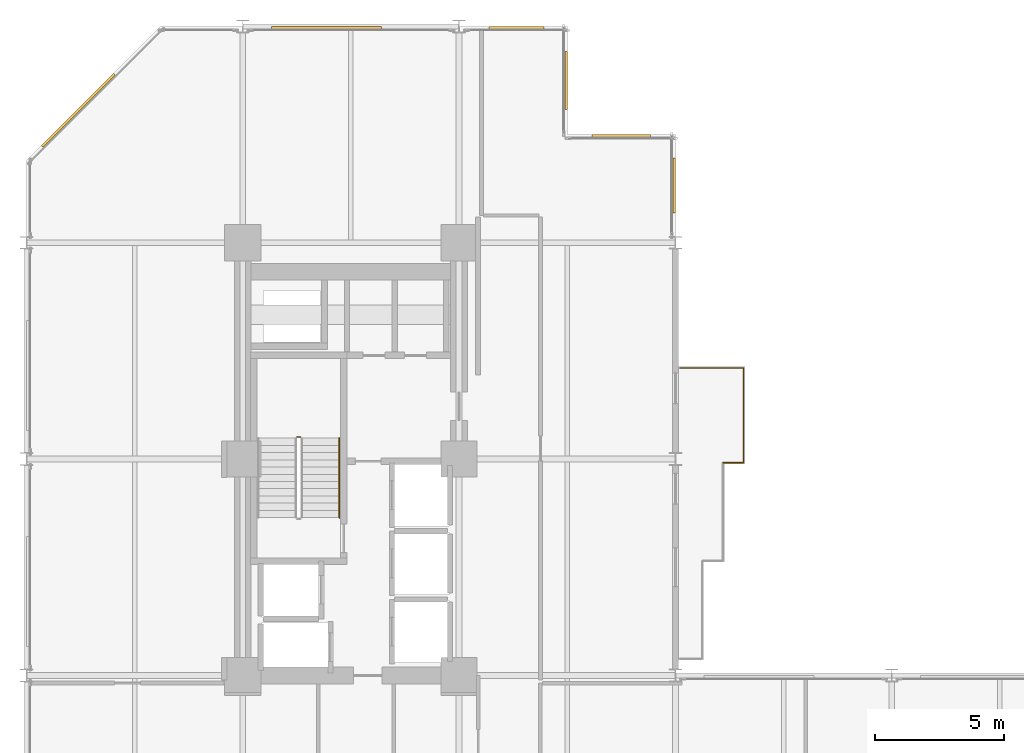
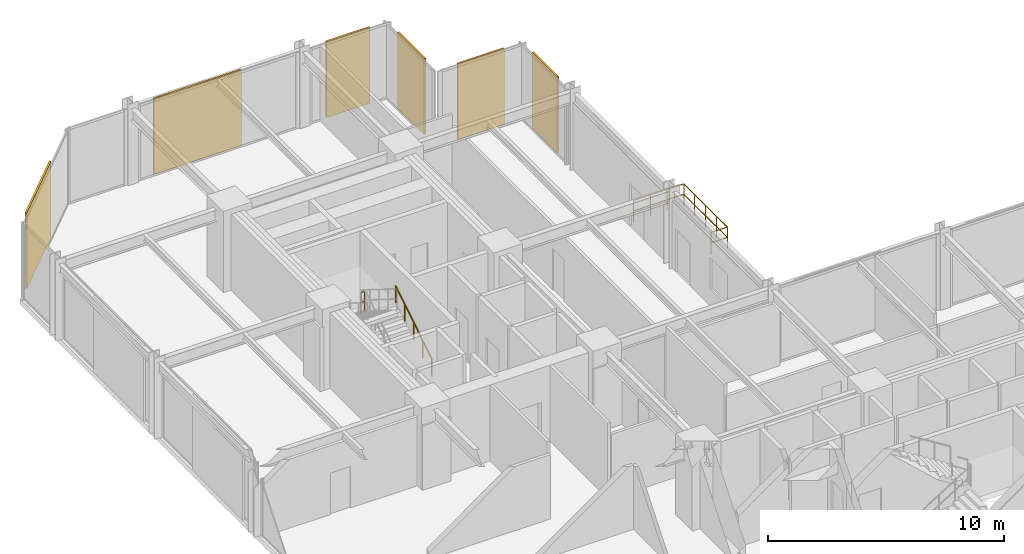
# One storey, part 24 of 24: 6 coverings, 5 railings.
"""IFC4 building model written with IfcOpenShell, lengths in metres."""

from ifc_helpers import new_model, si_unit, direction, frame, origin, origin_2d, place, context, subcontext, project, spatial, rectangle, circle, extrude, material, layer, layer_set, type_object, element, save


model = new_model("IFC4")

# Units and contexts
model_context = context("Model", 3, precision=1e-05, world=origin(), true_north=direction((0.0, 1.0)))
body_context = subcontext(model_context, "Body", "Model", "MODEL_VIEW")
ifc_project = project(units=[si_unit("LENGTHUNIT", "METRE"), si_unit("AREAUNIT", "SQUARE_METRE"), si_unit("VOLUMEUNIT", "CUBIC_METRE"), si_unit("PLANEANGLEUNIT", "RADIAN"), si_unit("MASSUNIT", "GRAM", prefix="KILO")], contexts=[model_context])

# Site, building, storey
site_placement = place(None, origin())
site = spatial("IfcSite", under=ifc_project, at=site_placement, CompositionType="ELEMENT")
building_placement = place(site_placement, origin())
building = spatial("IfcBuilding", under=site, at=building_placement, Name="Nerrivon Quay Data Exchange", CompositionType="ELEMENT")
storey_placement = place(building_placement, frame((0.0, 0.0, 37.39990234375)))
storey = spatial("IfcBuildingStorey", under=building, at=storey_placement, Name="L08", CompositionType="ELEMENT", Elevation=37.39990234375)

# Coverings
ifc_material_1 = material(Name="Architectural terracotta ceramic", Category="masonry")
ifc_layer = layer(ifc_material_1, 0.090087890625)
ifc_layer_set = layer_set([ifc_layer], Name="Architectural terracotta ceramic")
covering_type = type_object("IfcCoveringType", Name="COV-SCR-TERR", PredefinedType="CLADDING", material=ifc_layer_set)
covering_1_placement = place(storey_placement, frame((2.0078125, 47.144287109375, 0.0), z_axis=(0.0, 0.0, 1.0), x_axis=(0.707106781187, 0.707106781187, 0.0)))
element("IfcCovering", 1, at=covering_1_placement, inside=storey, type_object=covering_type, Name="L08 Perforated Terracotta SOLAR SCREEN Cassette", PredefinedType="CLADDING", context=body_context, shape_type="SweptSolid", body=[
    extrude(rectangle(XDim=3.970947265625, YDim=0.090087890625, at=origin_2d()), origin(), (0.0, 0.0, 1.0), 3.925048828125),
])
covering_2_placement = place(storey_placement, frame((11.652099609375, 50.35498046875, 0.0), z_axis=(0.0, 0.0, 1.0), x_axis=(1.0, 0.0, 0.0)))
element("IfcCovering", 2, at=covering_2_placement, inside=storey, type_object=covering_type, Name="L08 Perforated Terracotta SOLAR SCREEN Cassette", PredefinedType="CLADDING", context=body_context, shape_type="SweptSolid", body=[
    extrude(rectangle(XDim=4.26611328125, YDim=0.090087890625, at=origin_2d()), origin(), (0.0, 0.0, 1.0), 3.925048828125),
])
covering_3_placement = place(storey_placement, frame((19.02490234375, 50.35498046875, 0.0), z_axis=(0.0, 0.0, 1.0), x_axis=(1.0, 0.0, 0.0)))
element("IfcCovering", 3, at=covering_3_placement, inside=storey, type_object=covering_type, Name="L08 Perforated Terracotta SOLAR SCREEN Cassette", PredefinedType="CLADDING", context=body_context, shape_type="SweptSolid", body=[
    extrude(rectangle(XDim=2.133056640625, YDim=0.090087890625, at=origin_2d()), origin(), (0.0, 0.0, 1.0), 3.925048828125),
])
for number, where, z_axis, x_axis, name in (
    (4, (20.955078125, 48.300048828125, 0.0), (0.0, 0.0, 1.0), (0.0, -1.0, 0.0), "L08 Perforated Terracotta SOLAR SCREEN Cassette"),
    (5, (23.10009765625, 46.155029296875, 0.0), (0.0, 0.0, 1.0), (1.0, 0.0, 0.0), "L08 Perforated Terracotta SOLAR SCREEN Cassette"),
):
    element("IfcCovering", number, at=place(storey_placement, frame(where, z_axis=z_axis, x_axis=x_axis)), inside=storey, type_object=covering_type, Name=name, PredefinedType="CLADDING", context=body_context, shape_type="SweptSolid", body=[
        extrude(rectangle(XDim=2.26806640625, YDim=0.090087890625, at=origin_2d()), origin(), (0.0, 0.0, 1.0), 3.925048828125),
    ])
covering_4_placement = place(storey_placement, frame((25.155029296875, 44.22509765625, 0.0), z_axis=(0.0, 0.0, 1.0), x_axis=(0.0, -1.0, 0.0)))
element("IfcCovering", 6, at=covering_4_placement, inside=storey, type_object=covering_type, Name="L08 Perforated Terracotta SOLAR SCREEN Cassette", PredefinedType="CLADDING", context=body_context, shape_type="SweptSolid", body=[
    extrude(rectangle(XDim=2.133056640625, YDim=0.090087890625, at=origin_2d()), origin(), (0.0, 0.0, 1.0), 3.925048828125),
])

# Railings
ifc_material_2 = material(Name="Steel Grade C350L0 (350 MPa)", Category="steel")
railing_type_1 = type_object("IfcRailingType", Name="RAIL-GUARD-GR2", PredefinedType="BALUSTRADE", material=ifc_material_2)
railing_1_placement = place(storey_placement, frame((25.3798828125, 37.139892578125, 0.0)))
element("IfcRailing", 7, at=railing_1_placement, inside=storey, type_object=railing_type_1, Name="L08 Verandah Balcony Guard 1.3 1", PredefinedType="BALUSTRADE", context=body_context, shape_type="SweptSolid", body=[
    extrude(circle(Radius=0.02392578125, at=origin_2d()), frame((0.0, 0.0, 1.09619140625), z_axis=(1.0, 0.0, 0.0), x_axis=(0.0, 1.0, 0.0)), (0.0, 0.0, 1.0), 2.460205078125),
    extrude(circle(Radius=0.02392578125, at=origin_2d()), frame((0.0, 0.0, 0.56005859375), z_axis=(1.0, 0.0, 0.0), x_axis=(0.0, 1.0, 0.0)), (0.0, 0.0, 1.0), 2.460205078125),
    extrude(circle(Radius=0.02099609375, at=origin_2d()), origin(), (0.0, 0.0, 1.0), 1.072021484375),
    extrude(circle(Radius=0.02099609375, at=origin_2d()), frame((0.820068359375, 0.0, 0.0)), (0.0, 0.0, 1.0), 1.072021484375),
    extrude(circle(Radius=0.02099609375, at=origin_2d()), frame((1.64013671875, 0.0, 0.0)), (0.0, 0.0, 1.0), 1.072021484375),
    extrude(circle(Radius=0.02099609375, at=origin_2d()), frame((2.460205078125, 0.0, 0.0)), (0.0, 0.0, 1.0), 1.072021484375),
])
railing_2_placement = place(storey_placement, frame((27.840087890625, 37.139892578125, 0.0)))
element("IfcRailing", 8, at=railing_2_placement, inside=storey, type_object=railing_type_1, Name="L08 Verandah Balcony Guard 1.4 1", PredefinedType="BALUSTRADE", context=body_context, shape_type="SweptSolid", body=[
    extrude(circle(Radius=0.02392578125, at=origin_2d()), frame((0.0, 0.0, 1.09619140625), z_axis=(0.0, -1.0, 0.0), x_axis=(1.0, 0.0, 0.0)), (0.0, 0.0, 1.0), 3.679931640625),
    extrude(circle(Radius=0.02392578125, at=origin_2d()), frame((0.0, 0.0, 0.56005859375), z_axis=(0.0, -1.0, 0.0), x_axis=(1.0, 0.0, 0.0)), (0.0, 0.0, 1.0), 3.679931640625),
    extrude(circle(Radius=0.02099609375, at=origin_2d()), origin(), (0.0, 0.0, 1.0), 1.072021484375),
    extrude(circle(Radius=0.02099609375, at=origin_2d()), frame((0.0, -0.919921875, 0.0)), (0.0, 0.0, 1.0), 1.072021484375),
    extrude(circle(Radius=0.02099609375, at=origin_2d()), frame((0.0, -1.83984375, 0.0)), (0.0, 0.0, 1.0), 1.072021484375),
    extrude(circle(Radius=0.02099609375, at=origin_2d()), frame((0.0, -2.760009765625, 0.0)), (0.0, 0.0, 1.0), 1.072021484375),
    extrude(circle(Radius=0.02099609375, at=origin_2d()), frame((0.0, -3.679931640625, 0.0)), (0.0, 0.0, 1.0), 1.072021484375),
])
railing_3_placement = place(storey_placement, frame((27.840087890625, 33.4599609375, 0.0)))
element("IfcRailing", 9, at=railing_3_placement, inside=storey, type_object=railing_type_1, Name="L08 Verandah Balcony Guard 1.5 1", PredefinedType="BALUSTRADE", context=body_context, shape_type="SweptSolid", body=[
    extrude(circle(Radius=0.02392578125, at=origin_2d()), frame((0.0, 0.0, 1.09619140625), z_axis=(-1.0, 0.0, 0.0), x_axis=(0.0, -1.0, 0.0)), (0.0, 0.0, 1.0), 0.800048828125),
    extrude(circle(Radius=0.02392578125, at=origin_2d()), frame((0.0, 0.0, 0.56005859375), z_axis=(-1.0, 0.0, 0.0), x_axis=(0.0, -1.0, 0.0)), (0.0, 0.0, 1.0), 0.800048828125),
    extrude(circle(Radius=0.02099609375, at=origin_2d()), origin(), (0.0, 0.0, 1.0), 1.072021484375),
    extrude(circle(Radius=0.02099609375, at=origin_2d()), frame((-0.800048828125, 0.0, 0.0)), (0.0, 0.0, 1.0), 1.072021484375),
])
railing_type_2 = type_object("IfcRailingType", Name="RAIL-HAND-HR1", PredefinedType="HANDRAIL", material=ifc_material_2)
railing_4_placement = place(storey_placement, frame((12.14990234375, 31.330078125, 0.175048828125)))
element("IfcRailing", 10, at=railing_4_placement, inside=storey, type_object=railing_type_2, Name="L08 ST01 stair handrail 1", PredefinedType="HANDRAIL", context=body_context, shape_type="SweptSolid", body=[
    extrude(circle(Radius=0.02392578125, at=origin_2d()), frame((0.0, 0.0, 0.8759765625), z_axis=(0.0, 0.847979421464, 0.530029150871), x_axis=(-1.0, 0.0, 0.0)), (0.0, 0.0, 1.0), 3.632080078125),
    extrude(circle(Radius=0.02099609375, at=origin_2d()), origin(), (0.0, 0.0, 1.0), 0.851806640625),
    extrude(circle(Radius=0.02099609375, at=origin_2d()), frame((0.0, 0.77001953125, 0.481201171875)), (0.0, 0.0, 1.0), 0.851806640625),
    extrude(circle(Radius=0.02099609375, at=origin_2d()), frame((0.0, 1.5400390625, 0.96240234375)), (0.0, 0.0, 1.0), 0.851806640625),
    extrude(circle(Radius=0.02099609375, at=origin_2d()), frame((0.0, 2.309814453125, 1.44384765625)), (0.0, 0.0, 1.0), 0.851806640625),
    extrude(circle(Radius=0.02099609375, at=origin_2d()), frame((0.0, 3.079833984375, 1.925048828125)), (0.0, 0.0, 1.0), 0.851806640625),
])
railing_type_3 = type_object("IfcRailingType", Name="RAIL-STAIR-GR1", PredefinedType="BALUSTRADE", material=ifc_material_2)
railing_5_placement = place(storey_placement, frame((10.64990234375, 34.4599609375, 2.10009765625)))
element("IfcRailing", 11, at=railing_5_placement, inside=storey, type_object=railing_type_3, Name="L08 ST01 stair guard 2", PredefinedType="BALUSTRADE", context=body_context, shape_type="SweptSolid", body=[
    extrude(circle(Radius=0.02392578125, at=origin_2d()), frame((0.0, 0.0, 1.076171875), z_axis=(-1.0, 0.0, 0.0), x_axis=(0.0, -1.0, 0.0)), (0.0, 0.0, 1.0), 0.14990234375),
    extrude(circle(Radius=0.02392578125, at=origin_2d()), frame((0.0, 0.0, 0.550048828125), z_axis=(-1.0, 0.0, 0.0), x_axis=(0.0, -1.0, 0.0)), (0.0, 0.0, 1.0), 0.14990234375),
    extrude(circle(Radius=0.02099609375, at=origin_2d()), origin(), (0.0, 0.0, 1.0), 1.052001953125),
    extrude(circle(Radius=0.02099609375, at=origin_2d()), frame((-0.14990234375, 0.0, 0.0)), (0.0, 0.0, 1.0), 1.052001953125),
])

save(model, "model.ifc")
